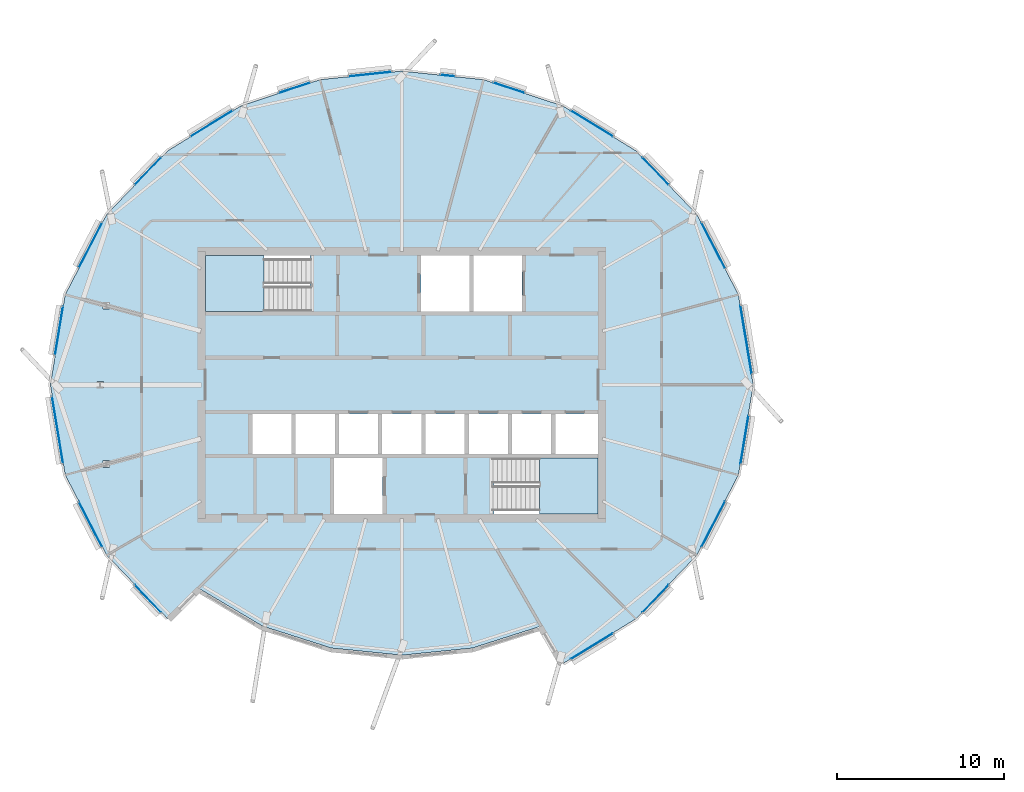
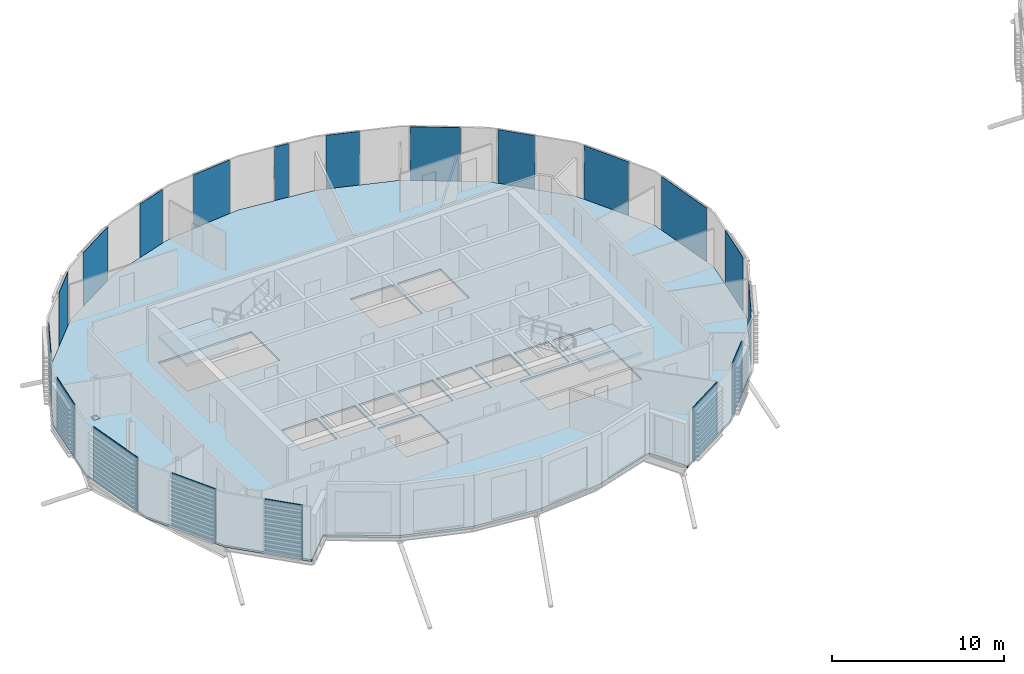
# One storey, part 18 of 41: 19 plates, 3 slabs, 3 elements without a shape of their own.
"""IFC4 building model written with IfcOpenShell, lengths in metres."""

from ifc_helpers import new_model, si_unit, direction, frame, origin, origin_2d, place, context, subcontext, project, spatial, polyline, rectangle, outline, extrude, material, layer, layer_set, type_object, element, aggregate, save


model = new_model("IFC4")

# Units and contexts
model_context = context("Model", 3, precision=1e-05, world=origin(), true_north=direction((0.0, 1.0)))
body_context = subcontext(model_context, "Body", "Model", "MODEL_VIEW")
ifc_project = project(units=[si_unit("LENGTHUNIT", "METRE"), si_unit("AREAUNIT", "SQUARE_METRE"), si_unit("VOLUMEUNIT", "CUBIC_METRE"), si_unit("PLANEANGLEUNIT", "RADIAN"), si_unit("MASSUNIT", "GRAM", prefix="KILO")], contexts=[model_context])

# Site, building, storey
site_placement = place(None, origin())
site = spatial("IfcSite", under=ifc_project, at=site_placement, CompositionType="ELEMENT")
building_placement = place(site_placement, origin())
building = spatial("IfcBuilding", under=site, at=building_placement, Name="Rimbun Link Towers", CompositionType="ELEMENT")
storey_placement = place(building_placement, frame((0.0, 0.0, 214.300048828125)))
storey = spatial("IfcBuildingStorey", under=building, at=storey_placement, Name="L52", CompositionType="ELEMENT", Elevation=214.300048828125)

# Slab
ifc_material_1 = material(Name="Concrete C35/45", Category="concrete")
ifc_layer_1 = layer(ifc_material_1, 0.139892578125)
ifc_layer_set_1 = layer_set([ifc_layer_1], Name="COMPOSITE FLOOR 140")
slab_type_1 = type_object("IfcSlabType", Name="COMPOSITE FLOOR 140", PredefinedType="FLOOR", material=ifc_layer_set_1)
slab_1_placement = place(storey_placement, frame((0.0, 0.0, -0.14013671875)))
element("IfcSlab", 1, at=slab_1_placement, inside=storey, type_object=slab_type_1, Name="Floor slab T1 L52", PredefinedType="FLOOR", context=body_context, shape_type="SweptSolid", body=[
    extrude(outline(polyline([(-49.434814453125, -10.21044921875), (-51.92138671875, -5.40478515625), (-52.810302734375, 0.0), (-51.92138671875, 5.40478515625), (-49.434814453125, 10.21044921875), (-45.7763671875, 14.0263671875), (-41.399658203125, 16.713623046875), (-36.650146484375, 18.28759765625), (-31.75, 18.8037109375), (-26.849853515625, 18.28759765625), (-22.100341796875, 16.713623046875), (-17.7236328125, 14.0263671875), (-14.065185546875, 10.21044921875), (-11.57861328125, 5.40478515625), (-10.689697265625, 0.0), (-11.57861328125, -5.40478515625), (-14.065185546875, -10.21044921875), (-17.7236328125, -14.0263671875), (-22.100341796875, -16.713623046875), (-23.400390625, -14.462158203125), (-27.522705078125, -15.7763671875), (-31.75, -16.20361328125), (-35.977294921875, -15.7763671875), (-40.099609375, -14.462158203125), (-43.93798828125, -12.18798828125), (-45.7763671875, -14.0263671875), (-49.434814453125, -10.21044921875)]), holes=[polyline([(-32.89990234375, -7.75), (-32.89990234375, -4.39990234375), (-35.800048828125, -4.39990234375), (-35.800048828125, -7.75), (-32.89990234375, -7.75)]), polyline([(-49.25341796875, -4.940185546875), (-49.25341796875, -4.546630859375), (-49.65234375, -4.546630859375), (-49.65234375, -4.940185546875), (-49.25341796875, -4.940185546875)]), polyline([(-38.361083984375, -4.14990234375), (-38.361083984375, -1.75), (-40.70556640625, -1.75), (-40.70556640625, -4.14990234375), (-38.361083984375, -4.14990234375)]), polyline([(-35.7666015625, -4.14990234375), (-35.7666015625, -1.75), (-38.111083984375, -1.75), (-38.111083984375, -4.14990234375), (-35.7666015625, -4.14990234375)]), polyline([(-33.172119140625, -4.14990234375), (-33.172119140625, -1.75), (-35.5166015625, -1.75), (-35.5166015625, -4.14990234375), (-33.172119140625, -4.14990234375)]), polyline([(-49.626953125, -0.19677734375), (-49.626953125, 0.19677734375), (-50.02587890625, 0.19677734375), (-50.02587890625, -0.19677734375), (-49.626953125, -0.19677734375)]), polyline([(-49.25341796875, 4.546630859375), (-49.25341796875, 4.940185546875), (-49.65234375, 4.940185546875), (-49.65234375, 4.546630859375), (-49.25341796875, 4.546630859375)]), polyline([(-37.260009765625, 4.39990234375), (-37.260009765625, 7.75), (-43.5, 7.75), (-43.5, 4.39990234375), (-37.260009765625, 4.39990234375)]), polyline([(-20.0, -7.75), (-20.0, -4.39990234375), (-26.239990234375, -4.39990234375), (-26.239990234375, -7.75), (-20.0, -7.75)]), polyline([(-30.577880859375, -4.14990234375), (-30.577880859375, -1.75), (-32.922119140625, -1.75), (-32.922119140625, -4.14990234375), (-30.577880859375, -4.14990234375)]), polyline([(-27.9833984375, -4.14990234375), (-27.9833984375, -1.75), (-30.327880859375, -1.75), (-30.327880859375, -4.14990234375), (-27.9833984375, -4.14990234375)]), polyline([(-25.388916015625, -4.14990234375), (-25.388916015625, -1.75), (-27.7333984375, -1.75), (-27.7333984375, -4.14990234375), (-25.388916015625, -4.14990234375)]), polyline([(-22.79443359375, -4.14990234375), (-22.79443359375, -1.75), (-25.138916015625, -1.75), (-25.138916015625, -4.14990234375), (-22.79443359375, -4.14990234375)]), polyline([(-20.0, -4.14990234375), (-20.0, -1.75), (-22.54443359375, -1.75), (-22.54443359375, -4.14990234375), (-20.0, -4.14990234375)]), polyline([(-27.699951171875, 4.39990234375), (-27.699951171875, 7.75), (-30.60009765625, 7.75), (-30.60009765625, 4.39990234375), (-27.699951171875, 4.39990234375)]), polyline([(-24.550048828125, 4.39990234375), (-24.550048828125, 7.75), (-27.449951171875, 7.75), (-27.449951171875, 4.39990234375), (-24.550048828125, 4.39990234375)])]), origin(), (0.0, 0.0, 1.0), 0.14013671875),
])

# Curtain wall, plates
ifc_material_2 = material(Name="Aluminium 6063-T6 and low-iron glass", Category="aluminium")
curtain_wall_type = type_object("IfcCurtainWallType", Name="CW1-Z4 unitised vision wall (zone 4)", PredefinedType="NOTDEFINED", material=ifc_material_2)
curtain_wall_placement = place(storey_placement, origin())
curtain_wall = element("IfcCurtainWall", 2, at=curtain_wall_placement, inside=storey, type_object=curtain_wall_type, Name="CW1 L52 T1", PredefinedType="NOTDEFINED")
ifc_material_3 = material(Name="Low-iron glass, laminated low-e unit", Category="glass")
ifc_layer_2 = layer(ifc_material_3, 0.028076171875)
ifc_layer_set_2 = layer_set([ifc_layer_2], Name="CW1 panel Low-iron glass 28")
plate_type = type_object("IfcPlateType", Name="CW1 panel Low-iron glass 28", PredefinedType="CURTAIN_PANEL", material=ifc_layer_set_2)
plate_1_placement = place(storey_placement, frame((-11.120361328125, 2.704833984375, 0.0), z_axis=(0.0, 0.0, 1.0), x_axis=(0.162264068235, -0.986747369979, 0.0)))
plate_1 = element("IfcPlate", 3, at=plate_1_placement, type_object=plate_type, Name="CW1 panel", PredefinedType="CURTAIN_PANEL", context=body_context, shape_type="SweptSolid", body=[
    extrude(rectangle(XDim=4.137451171875, YDim=0.028076171875, at=origin_2d()), origin(), (0.0, 0.0, 1.0), 3.800048828125),
])
plate_2_placement = place(storey_placement, frame((-13.085205078125, 8.346923828125, 0.0), z_axis=(0.0, 0.0, 1.0), x_axis=(0.459553639865, -0.888150016656, 0.0)))
plate_2 = element("IfcPlate", 4, at=plate_2_placement, type_object=plate_type, Name="CW1 panel", PredefinedType="CURTAIN_PANEL", context=body_context, shape_type="SweptSolid", body=[
    extrude(rectangle(XDim=3.07080078125, YDim=0.028076171875, at=origin_2d()), origin(), (0.0, 0.0, 1.0), 3.800048828125),
])
plate_3_placement = place(storey_placement, frame((-16.541748046875, 12.81396484375, 0.0), z_axis=(0.0, 0.0, 1.0), x_axis=(0.692053255443, -0.721846446019, 0.0)))
plate_3 = element("IfcPlate", 5, at=plate_3_placement, type_object=plate_type, Name="CW1 panel", PredefinedType="CURTAIN_PANEL", context=body_context, shape_type="SweptSolid", body=[
    extrude(rectangle(XDim=2.246337890625, YDim=0.028076171875, at=origin_2d()), origin(), (0.0, 0.0, 1.0), 3.800048828125),
])
plate_4_placement = place(storey_placement, frame((-20.35205078125, 15.65673828125, 0.0), z_axis=(0.0, 0.0, 1.0), x_axis=(0.852184020392, -0.523242195727, 0.0)))
plate_4 = element("IfcPlate", 6, at=plate_4_placement, type_object=plate_type, Name="CW1 panel", PredefinedType="CURTAIN_PANEL", context=body_context, shape_type="SweptSolid", body=[
    extrude(rectangle(XDim=2.94580078125, YDim=0.028076171875, at=origin_2d()), origin(), (0.0, 0.0, 1.0), 3.800048828125),
])
plate_5_placement = place(storey_placement, frame((-25.324951171875, 17.797119140625, 0.0), z_axis=(0.0, 0.0, 1.0), x_axis=(0.949231478105, -0.314578449635, 0.0)))
plate_5 = element("IfcPlate", 7, at=plate_5_placement, type_object=plate_type, Name="CW1 panel", PredefinedType="CURTAIN_PANEL", context=body_context, shape_type="SweptSolid", body=[
    extrude(rectangle(XDim=1.963623046875, YDim=0.028076171875, at=origin_2d()), origin(), (0.0, 0.0, 1.0), 3.800048828125),
])
plate_6_placement = place(storey_placement, frame((-29.0, 18.5283203125, 0.0), z_axis=(0.0, 0.0, 1.0), x_axis=(0.994501448774, -0.104722816932, 0.0)))
plate_6 = element("IfcPlate", 8, at=plate_6_placement, type_object=plate_type, Name="CW1 panel", PredefinedType="CURTAIN_PANEL", context=body_context, shape_type="SweptSolid", body=[
    extrude(rectangle(XDim=0.88720703125, YDim=0.028076171875, at=origin_2d()), origin(), (0.0, 0.0, 1.0), 3.800048828125),
])
plate_7_placement = place(storey_placement, frame((-33.654541015625, 18.6171875, 0.0), z_axis=(0.0, 0.0, 1.0), x_axis=(0.994501448774, 0.104722816932, 0.0)))
plate_7 = element("IfcPlate", 9, at=plate_7_placement, type_object=plate_type, Name="CW1 panel", PredefinedType="CURTAIN_PANEL", context=body_context, shape_type="SweptSolid", body=[
    extrude(rectangle(XDim=2.58740234375, YDim=0.028076171875, at=origin_2d()), origin(), (0.0, 0.0, 1.0), 3.800048828125),
])
plate_8_placement = place(storey_placement, frame((-38.175048828125, 17.797119140625, 0.0), z_axis=(0.0, 0.0, 1.0), x_axis=(0.949231478105, 0.314578449635, 0.0)))
plate_8 = element("IfcPlate", 10, at=plate_8_placement, type_object=plate_type, Name="CW1 panel", PredefinedType="CURTAIN_PANEL", context=body_context, shape_type="SweptSolid", body=[
    extrude(rectangle(XDim=1.963623046875, YDim=0.028076171875, at=origin_2d()), origin(), (0.0, 0.0, 1.0), 3.800048828125),
])
plate_9_placement = place(storey_placement, frame((-43.14794921875, 15.65673828125, 0.0), z_axis=(0.0, 0.0, 1.0), x_axis=(0.852184020392, 0.523242195727, 0.0)))
plate_9 = element("IfcPlate", 11, at=plate_9_placement, type_object=plate_type, Name="CW1 panel", PredefinedType="CURTAIN_PANEL", context=body_context, shape_type="SweptSolid", body=[
    extrude(rectangle(XDim=2.94580078125, YDim=0.028076171875, at=origin_2d()), origin(), (0.0, 0.0, 1.0), 3.800048828125),
])
plate_10_placement = place(storey_placement, frame((-46.958251953125, 12.81396484375, 0.0), z_axis=(0.0, 0.0, 1.0), x_axis=(0.692053255443, 0.721846446019, 0.0)))
plate_10 = element("IfcPlate", 12, at=plate_10_placement, type_object=plate_type, Name="CW1 panel", PredefinedType="CURTAIN_PANEL", context=body_context, shape_type="SweptSolid", body=[
    extrude(rectangle(XDim=2.246337890625, YDim=0.028076171875, at=origin_2d()), origin(), (0.0, 0.0, 1.0), 3.800048828125),
])
plate_11_placement = place(storey_placement, frame((-50.4033203125, 8.369140625, 0.0), z_axis=(0.0, 0.0, 1.0), x_axis=(0.459553639865, 0.888150016656, 0.0)))
plate_11 = element("IfcPlate", 13, at=plate_11_placement, type_object=plate_type, Name="CW1 panel", PredefinedType="CURTAIN_PANEL", context=body_context, shape_type="SweptSolid", body=[
    extrude(rectangle(XDim=3.020751953125, YDim=0.028076171875, at=origin_2d()), origin(), (0.0, 0.0, 1.0), 3.800048828125),
])
plate_12_placement = place(storey_placement, frame((-52.290283203125, 3.247314453125, 0.0), z_axis=(0.0, 0.0, 1.0), x_axis=(0.162264068235, 0.986747369979, 0.0)))
plate_12 = element("IfcPlate", 14, at=plate_12_placement, type_object=plate_type, Name="CW1 panel", PredefinedType="CURTAIN_PANEL", context=body_context, shape_type="SweptSolid", body=[
    extrude(rectangle(XDim=2.9375, YDim=0.028076171875, at=origin_2d()), origin(), (0.0, 0.0, 1.0), 3.800048828125),
])
plate_13_placement = place(storey_placement, frame((-52.379638671875, -2.704833984375, 0.0), z_axis=(0.0, 0.0, 1.0), x_axis=(-0.162264068235, 0.986747369979, 0.0)))
plate_13 = element("IfcPlate", 15, at=plate_13_placement, type_object=plate_type, Name="CW1 panel", PredefinedType="CURTAIN_PANEL", context=body_context, shape_type="SweptSolid", body=[
    extrude(rectangle(XDim=4.03759765625, YDim=0.028076171875, at=origin_2d()), origin(), (0.0, 0.0, 1.0), 3.800048828125),
])
plate_14_placement = place(storey_placement, frame((-50.4033203125, -8.369140625, 0.0), z_axis=(0.0, 0.0, 1.0), x_axis=(-0.459553639865, 0.888150016656, 0.0)))
plate_14 = element("IfcPlate", 16, at=plate_14_placement, type_object=plate_type, Name="CW1 panel", PredefinedType="CURTAIN_PANEL", context=body_context, shape_type="SweptSolid", body=[
    extrude(rectangle(XDim=3.020751953125, YDim=0.028076171875, at=origin_2d()), origin(), (0.0, 0.0, 1.0), 3.800048828125),
])
plate_15_placement = place(storey_placement, frame((-46.958251953125, -12.81396484375, 0.0), z_axis=(0.0, 0.0, 1.0), x_axis=(-0.692053255443, 0.721846446019, 0.0)))
plate_15 = element("IfcPlate", 17, at=plate_15_placement, type_object=plate_type, Name="CW1 panel", PredefinedType="CURTAIN_PANEL", context=body_context, shape_type="SweptSolid", body=[
    extrude(rectangle(XDim=2.246337890625, YDim=0.028076171875, at=origin_2d()), origin(), (0.0, 0.0, 1.0), 3.800048828125),
])
plate_16_placement = place(storey_placement, frame((-20.35205078125, -15.65673828125, 0.0), z_axis=(0.0, 0.0, 1.0), x_axis=(-0.852184020392, -0.523242195727, 0.0)))
plate_16 = element("IfcPlate", 18, at=plate_16_placement, type_object=plate_type, Name="CW1 panel", PredefinedType="CURTAIN_PANEL", context=body_context, shape_type="SweptSolid", body=[
    extrude(rectangle(XDim=2.94580078125, YDim=0.028076171875, at=origin_2d()), origin(), (0.0, 0.0, 1.0), 3.800048828125),
])
plate_17_placement = place(storey_placement, frame((-16.541748046875, -12.81396484375, 0.0), z_axis=(0.0, 0.0, 1.0), x_axis=(-0.692053255443, -0.721846446019, 0.0)))
plate_17 = element("IfcPlate", 19, at=plate_17_placement, type_object=plate_type, Name="CW1 panel", PredefinedType="CURTAIN_PANEL", context=body_context, shape_type="SweptSolid", body=[
    extrude(rectangle(XDim=2.246337890625, YDim=0.028076171875, at=origin_2d()), origin(), (0.0, 0.0, 1.0), 3.800048828125),
])
plate_18_placement = place(storey_placement, frame((-13.085205078125, -8.346923828125, 0.0), z_axis=(0.0, 0.0, 1.0), x_axis=(-0.459553639865, -0.888150016656, 0.0)))
plate_18 = element("IfcPlate", 20, at=plate_18_placement, type_object=plate_type, Name="CW1 panel", PredefinedType="CURTAIN_PANEL", context=body_context, shape_type="SweptSolid", body=[
    extrude(rectangle(XDim=3.07080078125, YDim=0.028076171875, at=origin_2d()), origin(), (0.0, 0.0, 1.0), 3.800048828125),
])
plate_19_placement = place(storey_placement, frame((-11.2177734375, -3.296875, 0.0), z_axis=(0.0, 0.0, 1.0), x_axis=(-0.162264068235, -0.986747369979, 0.0)))
plate_19 = element("IfcPlate", 21, at=plate_19_placement, type_object=plate_type, Name="CW1 panel", PredefinedType="CURTAIN_PANEL", context=body_context, shape_type="SweptSolid", body=[
    extrude(rectangle(XDim=2.9375, YDim=0.028076171875, at=origin_2d()), origin(), (0.0, 0.0, 1.0), 3.800048828125),
])
aggregate(curtain_wall, [plate_1, plate_2, plate_3, plate_4, plate_5, plate_6, plate_7, plate_8, plate_9, plate_10, plate_11, plate_12, plate_13, plate_14, plate_15, plate_16, plate_17, plate_18, plate_19])

# Stair, slab
ifc_material_4 = material(Name="Concrete C40/50", Category="concrete")
stair_type = type_object("IfcStairType", Name="Exit stair 3800 rise", PredefinedType="HALF_TURN_STAIR", material=ifc_material_4)
stair_1_placement = place(storey_placement, origin())
stair_1 = element("IfcStair", 22, at=stair_1_placement, inside=storey, type_object=stair_type, Name="L52 EXIT STAIR A", PredefinedType="HALF_TURN_STAIR")
ifc_material_5 = material(Name="Concrete C40/50", Category="concrete")
ifc_layer_3 = layer(ifc_material_5, 0.199951171875)
ifc_layer_set_3 = layer_set([ifc_layer_3], Name="Stair landing")
slab_type_2 = type_object("IfcSlabType", Name="Stair landing", PredefinedType="LANDING", material=ifc_layer_set_3)
slab_2_placement = place(storey_placement, frame((0.0, 0.0, 1.699951171875)))
slab_2 = element("IfcSlab", 23, at=slab_2_placement, type_object=slab_type_2, Name="ST1 landing 1", PredefinedType="LANDING", context=body_context, shape_type="SweptSolid", body=[
    extrude(outline(polyline([(-40.0, 7.75), (-43.5, 7.75), (-43.5, 4.39990234375), (-40.0, 4.39990234375), (-40.0, 7.75)])), origin(), (0.0, 0.0, 1.0), 0.199951171875),
])
aggregate(stair_1, [slab_2])

stair_2_placement = place(storey_placement, origin())
stair_2 = element("IfcStair", 24, at=stair_2_placement, inside=storey, type_object=stair_type, Name="L52 EXIT STAIR B", PredefinedType="HALF_TURN_STAIR")
slab_3_placement = place(storey_placement, frame((0.0, 0.0, 1.699951171875)))
slab_3 = element("IfcSlab", 25, at=slab_3_placement, type_object=slab_type_2, Name="ST2 landing 1", PredefinedType="LANDING", context=body_context, shape_type="SweptSolid", body=[
    extrude(outline(polyline([(-23.5, -7.75), (-20.0, -7.75), (-20.0, -4.39990234375), (-23.5, -4.39990234375), (-23.5, -7.75)])), origin(), (0.0, 0.0, 1.0), 0.199951171875),
])
aggregate(stair_2, [slab_3])

save(model, "model.ifc")
